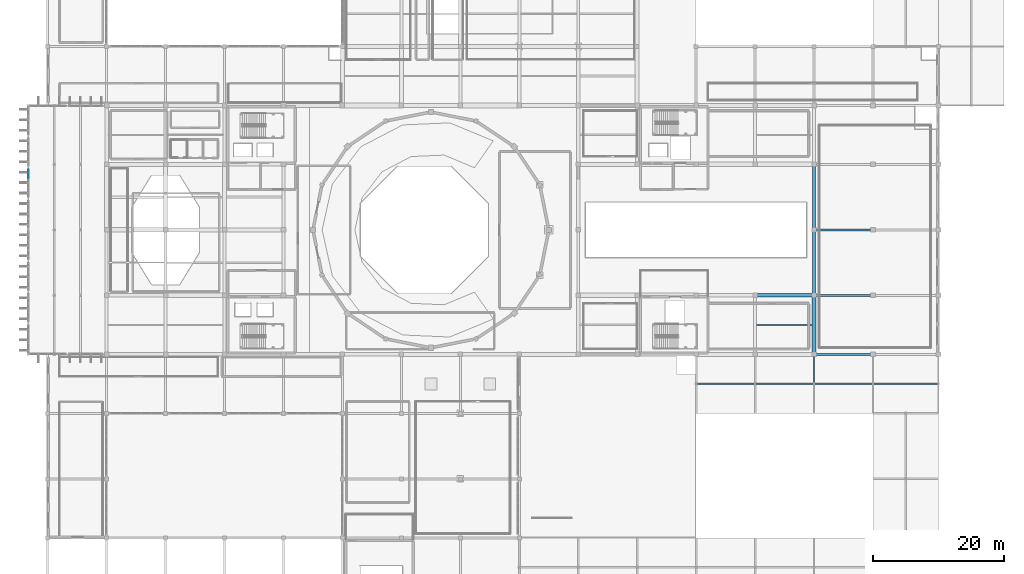
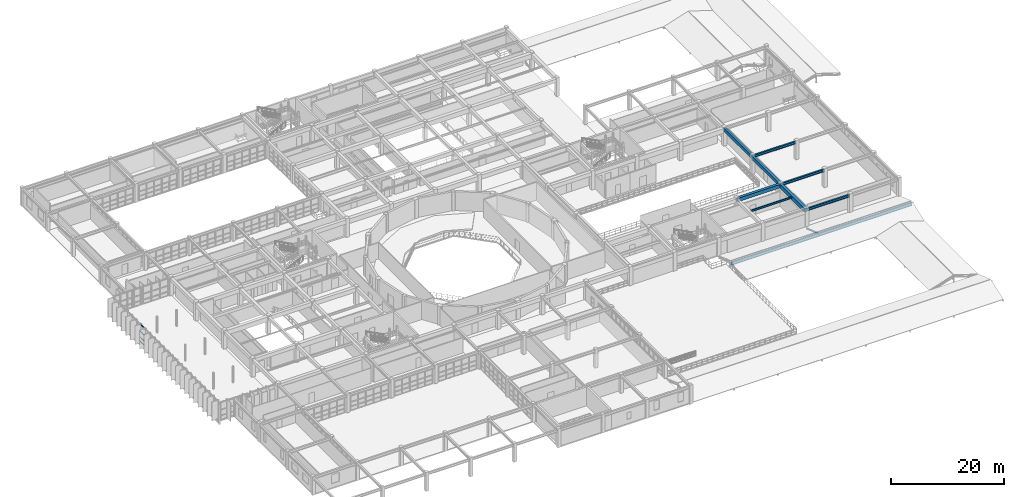
# One storey, part 45 of 110: 9 beams, 5 members, 1 element without a shape of its own.
"""IFC4 building model written with IfcOpenShell, lengths in metres."""

import ifcopenshell
import ifcopenshell.guid

model = None  # the IFC model being written
_history = None  # IfcOwnerHistory: only IFC2X3 demands one
_inside = {}  # id of a spatial element -> (the spatial element, [elements in it])
_under = {}  # id of a project, library or spatial element -> (it, [spatial elements below it])
_declared = {}  # id of a project -> (the project, [libraries it declares])
_typed = {}  # id of a type object -> (the type object, [elements of that type])
_made_of = {}  # id of a material, layer set ... -> (it, [elements and type objects made of it])


def new_model(schema):
    """Start an empty IFC model of exactly this schema.

    Asked for "IFC4X3", IfcOpenShell would pick the latest addendum, in which some entities
    have other attributes; the version numbers below select the first issue.
    IFC2X3 requires an IfcOwnerHistory on every rooted entity: one is made here for all.
    """
    global model, _history
    if schema == "IFC4X3":
        model = ifcopenshell.file(schema_version=(4, 3, 0, 0))
    else:
        model = ifcopenshell.file(schema=schema)
    _inside.clear()
    _under.clear()
    _declared.clear()
    _typed.clear()
    _made_of.clear()
    _history = None
    if model.schema == "IFC2X3":
        org = make("IfcOrganization", Name="unknown")
        user = make(
            "IfcPersonAndOrganization",
            ThePerson=make("IfcPerson", FamilyName="unknown"),
            TheOrganization=org,
        )
        app = make(
            "IfcApplication",
            ApplicationDeveloper=org,
            Version="unknown",
            ApplicationFullName="unknown",
            ApplicationIdentifier="unknown",
        )
        _history = make(
            "IfcOwnerHistory",
            OwningUser=user,
            OwningApplication=app,
            ChangeAction="ADDED",
            CreationDate=0,
        )
    return model


def make(cls, **values):
    """One entity of the class cls with the attributes given. An attribute that is None is left unset."""
    return model.create_entity(
        cls, **{name: value for name, value in values.items() if value is not None}
    )


def rooted(cls, **values):
    """An entity with a GlobalId (a new one), such as an element, a storey or a relation."""
    return make(cls, GlobalId=ifcopenshell.guid.new(), OwnerHistory=_history, **values)


def si_unit(unit_type, name, prefix=None):
    """IfcSIUnit, for example si_unit("LENGTHUNIT", "METRE", prefix="MILLI")."""
    return make("IfcSIUnit", UnitType=unit_type, Prefix=prefix, Name=name)


def assignment(units):
    """IfcUnitAssignment: the units of a project."""
    return None if units is None else make("IfcUnitAssignment", Units=units)


def point(xyz):
    """IfcCartesianPoint."""
    return None if xyz is None else make("IfcCartesianPoint", Coordinates=xyz)


def direction(xyz):
    """IfcDirection."""
    return None if xyz is None else make("IfcDirection", DirectionRatios=xyz)


def frame(location, z_axis=None, x_axis=None):
    """IfcAxis2Placement3D, a coordinate frame: its origin and axes. An axis left out is left unset."""
    return make(
        "IfcAxis2Placement3D",
        Location=point(location),
        Axis=direction(z_axis),
        RefDirection=direction(x_axis),
    )


def frame_2d(location, x_axis=None):
    """IfcAxis2Placement2D, a coordinate frame in the plane: its origin and x axis."""
    return make(
        "IfcAxis2Placement2D", Location=point(location), RefDirection=direction(x_axis)
    )


def origin():
    """The frame at (0, 0, 0) with its axes left unset."""
    return frame((0.0, 0.0, 0.0))


def origin_2d():
    """The frame at (0, 0) in the plane with its x axis left unset."""
    return frame_2d((0.0, 0.0))


def place(relative_to, where):
    """IfcLocalPlacement: puts the frame where relative to a parent placement (None: the world)."""
    return make(
        "IfcLocalPlacement", PlacementRelTo=relative_to, RelativePlacement=where
    )


def context(
    kind, dimensions, precision=None, world=None, true_north=None, identifier=None
):
    """IfcGeometricRepresentationContext, for example the 3D "Model" context."""
    return make(
        "IfcGeometricRepresentationContext",
        ContextIdentifier=identifier,
        ContextType=kind,
        CoordinateSpaceDimension=dimensions,
        Precision=precision,
        WorldCoordinateSystem=world,
        TrueNorth=true_north,
    )


def subcontext(parent, identifier, kind, view, scale=None):
    """IfcGeometricRepresentationSubContext, for example "Body" below "Model"."""
    return make(
        "IfcGeometricRepresentationSubContext",
        ContextIdentifier=identifier,
        ContextType=kind,
        ParentContext=parent,
        TargetScale=scale,
        TargetView=view,
    )


def project(units=None, contexts=None):
    """IfcProject with its units and contexts."""
    return rooted(
        "IfcProject",
        Name="project",
        RepresentationContexts=contexts,
        UnitsInContext=assignment(units),
    )


def spatial(cls, under=None, at=None, **own):
    """A site, building, storey or space (cls), placed at a placement, below another one or the project."""
    s = rooted(cls, ObjectPlacement=at, **own)
    if under is not None:
        _under.setdefault(under.id(), (under, []))[1].append(s)
    return s


def profile(cls, at=None, kind="AREA", **sizes):
    """A parametric profile (cls). Its sizes go by their IFC names, for example OverallWidth=200.0."""
    return make(cls, ProfileType=kind, Position=at, **sizes)


def rectangle(**sizes):
    """IfcRectangleProfileDef."""
    return profile("IfcRectangleProfileDef", **sizes)


def hollow_rectangle(**sizes):
    """IfcRectangleHollowProfileDef."""
    return profile("IfcRectangleHollowProfileDef", **sizes)


def i_section(**sizes):
    """IfcIShapeProfileDef."""
    return profile("IfcIShapeProfileDef", **sizes)


def extrude(swept, where, along, depth):
    """IfcExtrudedAreaSolid: the profile swept, set in the frame where, extruded along a direction by depth."""
    return make(
        "IfcExtrudedAreaSolid",
        SweptArea=swept,
        Position=where,
        ExtrudedDirection=direction(along),
        Depth=depth,
    )


def shape(context_of_items, identifier, shape_type, items):
    """IfcShapeRepresentation: the items that make up one representation, for example the "Body"."""
    return make(
        "IfcShapeRepresentation",
        ContextOfItems=context_of_items,
        RepresentationIdentifier=identifier,
        RepresentationType=shape_type,
        Items=items,
    )


def material(Name=None, Category=None):
    """IfcMaterial."""
    return make("IfcMaterial", Name=Name, Category=Category)


def material_profile(
    of_material, cross_section, Name=None, Category=None, Priority=None
):
    """IfcMaterialProfile: a cross section and its material."""
    return make(
        "IfcMaterialProfile",
        Name=Name,
        Material=of_material,
        Profile=cross_section,
        Priority=Priority,
        Category=Category,
    )


def profile_set(profiles, Name=None, composite=None):
    """IfcMaterialProfileSet."""
    return make(
        "IfcMaterialProfileSet",
        Name=Name,
        MaterialProfiles=profiles,
        CompositeProfile=composite,
    )


def made_of(thing, what):
    """Note that an element or type object is made of a material, layer set ...; save() writes the relation."""
    if what is not None:
        _made_of.setdefault(what.id(), (what, []))[1].append(thing)
    return thing


def type_object(cls, material=None, **own):
    """A type object (cls), such as IfcWallType, which elements share."""
    return made_of(rooted(cls, **own), material)


def element(
    cls,
    number,
    at=None,
    inside=None,
    cuts=None,
    type_object=None,
    material=None,
    context=None,
    identifier="Body",
    shape_type=None,
    held_by="IfcProductDefinitionShape",
    body=None,
    shapes=None,
    **own,
):
    """One element of the class cls, such as IfcWall. Its Tag is "e" and its number.

    at: its placement. inside: the storey or other place that contains it. cuts: it is an
    opening in that element (IfcRelVoidsElement). A single representation is given by context,
    identifier, shape_type and body (its items); several are given by shapes. held_by: the class
    of the entity that holds the representations. save() writes the other relations.
    """
    e = rooted(cls, Tag="e%d" % number, ObjectPlacement=at, **own)
    if body is not None:
        shapes = [shape(context, identifier, shape_type, body)]
    if shapes is not None:
        e.Representation = make(held_by, Representations=shapes)
    if inside is not None:
        _inside.setdefault(inside.id(), (inside, []))[1].append(e)
    if cuts is not None:
        rooted(
            "IfcRelVoidsElement", RelatingBuildingElement=cuts, RelatedOpeningElement=e
        )
    if type_object is not None:
        _typed.setdefault(type_object.id(), (type_object, []))[1].append(e)
    return made_of(e, material)


def aggregate(whole, parts):
    """IfcRelAggregates: a whole, such as a stair, and the parts it consists of."""
    return rooted("IfcRelAggregates", RelatingObject=whole, RelatedObjects=parts)


def save(model, path):
    """Write the relations noted so far, then the file.

    IfcRelAggregates (storeys below a building ...), IfcRelContainedInSpatialStructure (elements
    in a storey), IfcRelDefinesByType, IfcRelAssociatesMaterial and IfcRelDeclares: one each for
    every whole, place, type object, material and project.
    """
    for whole, parts in _under.values():
        aggregate(whole, parts)
    for where, things in _inside.values():
        rooted(
            "IfcRelContainedInSpatialStructure",
            RelatedElements=things,
            RelatingStructure=where,
        )
    for kind, things in _typed.values():
        rooted("IfcRelDefinesByType", RelatedObjects=things, RelatingType=kind)
    for what, things in _made_of.values():
        rooted("IfcRelAssociatesMaterial", RelatedObjects=things, RelatingMaterial=what)
    for by, libraries in _declared.values():
        rooted("IfcRelDeclares", RelatingContext=by, RelatedDefinitions=libraries)
    model.write(path)


model = new_model("IFC4")

# Units and contexts
model_context = context("Model", 3, precision=1e-05, world=origin(), true_north=direction((0.0, 1.0)))
body_context = subcontext(model_context, "Body", "Model", "MODEL_VIEW")
ifc_project = project(units=[si_unit("LENGTHUNIT", "METRE"), si_unit("AREAUNIT", "SQUARE_METRE"), si_unit("VOLUMEUNIT", "CUBIC_METRE"), si_unit("PLANEANGLEUNIT", "RADIAN"), si_unit("MASSUNIT", "GRAM", prefix="KILO")], contexts=[model_context])

# Site, building, storey
site_placement = place(None, origin())
site = spatial("IfcSite", under=ifc_project, at=site_placement, CompositionType="ELEMENT")
building_placement = place(site_placement, origin())
building = spatial("IfcBuilding", under=site, at=building_placement, Name="Miravela Opera House", CompositionType="ELEMENT")
storey_placement = place(building_placement, frame((0.0, 0.0, 13.60009765625)))
storey = spatial("IfcBuildingStorey", under=building, at=storey_placement, Name="L03", CompositionType="ELEMENT", Elevation=13.60009765625)

# Curtain wall, members
ifc_material_1 = material(Name="Anodised architectural bronze aluminium 6063-T6", Category="aluminium")
curtain_wall_type = type_object("IfcCurtainWallType", Name="ARC-CW-02", PredefinedType="NOTDEFINED", material=ifc_material_1)
curtain_wall_placement = place(storey_placement, origin())
curtain_wall = element("IfcCurtainWall", 1, at=curtain_wall_placement, inside=storey, type_object=curtain_wall_type, Name="Cantilever West Wrapper Glazing B6 CW-L03-020", PredefinedType="NOTDEFINED")
ifc_material_profile_1 = material_profile(ifc_material_1, hollow_rectangle(XDim=0.06494140625, YDim=0.139892578125, WallThickness=0.00390625, InnerFilletRadius=0.001953125, OuterFilletRadius=0.00390625, at=origin_2d()), Name="CWT-65X140")
ifc_profile_set_1 = profile_set([ifc_material_profile_1])
member_type_1 = type_object("IfcMemberType", Name="ARC-CWT-140", PredefinedType="USERDEFINED", material=ifc_profile_set_1)
member_1_placement = place(storey_placement, frame((15.080078125, 63.855712890625, 0.032470703125), z_axis=(0.0, 1.0, 0.0), x_axis=(-1.0, 0.0, 0.0)))
member_1 = element("IfcMember", 2, at=member_1_placement, type_object=member_type_1, Name="CW-02 transom 3.1", ObjectType="TRANSOM", PredefinedType="USERDEFINED", context=body_context, shape_type="SweptSolid", body=[
    extrude(hollow_rectangle(XDim=0.06494140625, YDim=0.139892578125, WallThickness=0.00390625, InnerFilletRadius=0.001953125, OuterFilletRadius=0.00390625, at=origin_2d()), origin(), (0.0, 0.0, 1.0), 1.29931640625),
])
member_2_placement = place(storey_placement, frame((15.080078125, 63.855712890625, 0.949951171875), z_axis=(0.0, 1.0, 0.0), x_axis=(-1.0, 0.0, 0.0)))
member_2 = element("IfcMember", 3, at=member_2_placement, type_object=member_type_1, Name="CW-02 transom 3.2", ObjectType="TRANSOM", PredefinedType="USERDEFINED", context=body_context, shape_type="SweptSolid", body=[
    extrude(hollow_rectangle(XDim=0.06494140625, YDim=0.139892578125, WallThickness=0.00390625, InnerFilletRadius=0.001953125, OuterFilletRadius=0.00390625, at=origin_2d()), origin(), (0.0, 0.0, 1.0), 1.29931640625),
])
member_3_placement = place(storey_placement, frame((15.080078125, 63.855712890625, 2.215576171875), z_axis=(0.0, 1.0, 0.0), x_axis=(-1.0, 0.0, 0.0)))
member_3 = element("IfcMember", 4, at=member_3_placement, type_object=member_type_1, Name="CW-02 transom 3.3", ObjectType="TRANSOM", PredefinedType="USERDEFINED", context=body_context, shape_type="SweptSolid", body=[
    extrude(hollow_rectangle(XDim=0.06494140625, YDim=0.139892578125, WallThickness=0.00390625, InnerFilletRadius=0.001953125, OuterFilletRadius=0.00390625, at=origin_2d()), origin(), (0.0, 0.0, 1.0), 1.29931640625),
])
member_4_placement = place(storey_placement, frame((15.080078125, 63.855712890625, 3.787353515625), z_axis=(0.0, 1.0, 0.0), x_axis=(-1.0, 0.0, 0.0)))
member_4 = element("IfcMember", 5, at=member_4_placement, type_object=member_type_1, Name="CW-02 transom 3.4", ObjectType="TRANSOM", PredefinedType="USERDEFINED", context=body_context, shape_type="SweptSolid", body=[
    extrude(hollow_rectangle(XDim=0.06494140625, YDim=0.139892578125, WallThickness=0.00390625, InnerFilletRadius=0.001953125, OuterFilletRadius=0.00390625, at=origin_2d()), origin(), (0.0, 0.0, 1.0), 1.29931640625),
])
aggregate(curtain_wall, [member_1, member_2, member_3, member_4])

# Beams
ifc_material_2 = material(Name="Concrete C35/45", Category="concrete")
ifc_material_profile_2 = material_profile(ifc_material_2, rectangle(XDim=0.47998046875, YDim=0.679931640625, at=origin_2d()), Name="RC-BM-480X680")
ifc_profile_set_2 = profile_set([ifc_material_profile_2])
beam_type_1 = type_object("IfcBeamType", Name="STR-BM-RC480X680", PredefinedType="BEAM", material=ifc_profile_set_2)
beam_1_placement = place(storey_placement, frame((135.0, 56.080078125, 3.5), z_axis=(0.0, 1.0, 0.0), x_axis=(-1.0, 0.0, 0.0)))
element("IfcBeam", 6, at=beam_1_placement, inside=storey, type_object=beam_type_1, Name="Floor Girder L03 16/G-H", PredefinedType="BEAM", context=body_context, shape_type="SweptSolid", body=[
    extrude(rectangle(XDim=0.47998046875, YDim=0.679931640625, at=origin_2d()), origin(), (0.0, 0.0, 1.0), 9.83984375),
])
ifc_material_profile_3 = material_profile(ifc_material_2, rectangle(XDim=0.5, YDim=0.699951171875, at=origin_2d()), Name="RC-BM-500X700")
ifc_profile_set_3 = profile_set([ifc_material_profile_3])
beam_type_2 = type_object("IfcBeamType", Name="STR-BM-RC500X700", PredefinedType="BEAM", material=ifc_profile_set_3)
beam_2_placement = place(storey_placement, frame((135.0, 46.080078125, 3.489990234375), z_axis=(0.0, 1.0, 0.0), x_axis=(-1.0, 0.0, 0.0)))
element("IfcBeam", 7, at=beam_2_placement, inside=storey, type_object=beam_type_2, Name="Floor Girder L03 16/F-G", PredefinedType="BEAM", context=body_context, shape_type="SweptSolid", body=[
    extrude(rectangle(XDim=0.5, YDim=0.699951171875, at=origin_2d()), origin(), (0.0, 0.0, 1.0), 9.83984375),
])
ifc_material_profile_4 = material_profile(ifc_material_2, rectangle(XDim=0.550048828125, YDim=0.75, at=origin_2d()), Name="RC-BM-550X750")
ifc_profile_set_4 = profile_set([ifc_material_profile_4])
beam_type_3 = type_object("IfcBeamType", Name="STR-BM-RC550X750", PredefinedType="BEAM", material=ifc_profile_set_4)
beam_3_placement = place(storey_placement, frame((126.080078125, 46.0, 3.46484375), z_axis=(1.0, 0.0, 0.0), x_axis=(0.0, 1.0, 0.0)))
element("IfcBeam", 8, at=beam_3_placement, inside=storey, type_object=beam_type_3, Name="Floor Girder L03 15-16/F", PredefinedType="BEAM", context=body_context, shape_type="SweptSolid", body=[
    extrude(rectangle(XDim=0.550048828125, YDim=0.75, at=origin_2d()), origin(), (0.0, 0.0, 1.0), 8.83984375),
])
ifc_material_3 = material(Name="Concrete C40/50", Category="concrete")
ifc_material_profile_5 = material_profile(ifc_material_3, rectangle(XDim=0.60009765625, YDim=0.85009765625, at=origin_2d()), Name="RC-BM-600X850")
ifc_profile_set_5 = profile_set([ifc_material_profile_5])
beam_type_4 = type_object("IfcBeamType", Name="STR-BM-RC600X850", PredefinedType="BEAM", material=ifc_profile_set_5)
beam_4_placement = place(storey_placement, frame((135.0, 37.080078125, 3.414794921875), z_axis=(0.0, 1.0, 0.0), x_axis=(-1.0, 0.0, 0.0)))
element("IfcBeam", 9, at=beam_4_placement, inside=storey, type_object=beam_type_4, Name="Floor Girder L03 16/E-F", PredefinedType="BEAM", context=body_context, shape_type="SweptSolid", body=[
    extrude(rectangle(XDim=0.60009765625, YDim=0.85009765625, at=origin_2d()), origin(), (0.0, 0.0, 1.0), 8.83984375),
])
ifc_material_4 = material(Name="Structural steel ASTM A992 Gr. 50", Category="steel")
ifc_material_profile_6 = material_profile(ifc_material_4, i_section(OverallWidth=0.180908203125, OverallDepth=0.4169921875, WebThickness=0.010986328125, FlangeThickness=0.018310546875, FilletRadius=0.013916015625, at=origin_2d()), Name="W410X85")
ifc_profile_set_6 = profile_set([ifc_material_profile_6])
beam_type_5 = type_object("IfcBeamType", Name="STR-BM-W410X85", PredefinedType="JOIST", material=ifc_profile_set_6)
beam_5_placement = place(storey_placement, frame((126.22509765625, 41.5, 3.63134765625), z_axis=(1.0, 0.0, 0.0), x_axis=(0.0, 1.0, 0.0)))
element("IfcBeam", 10, at=beam_5_placement, inside=storey, type_object=beam_type_5, Name="Secondary Floor Joist L03 15-16/E-F", PredefinedType="JOIST", context=body_context, shape_type="SweptSolid", body=[
    extrude(i_section(OverallWidth=0.180908203125, OverallDepth=0.4169921875, WebThickness=0.010986328125, FlangeThickness=0.018310546875, FilletRadius=0.013916015625, at=origin_2d()), origin(), (0.0, 0.0, 1.0), 8.489990234375),
])
ifc_material_profile_7 = material_profile(ifc_material_4, i_section(OverallWidth=0.31201171875, OverallDepth=0.54296875, WebThickness=0.0126953125, FlangeThickness=0.020263671875, FilletRadius=0.01611328125, at=origin_2d()), Name="W530X150")
ifc_profile_set_7 = profile_set([ifc_material_profile_7])
beam_type_6 = type_object("IfcBeamType", Name="STR-BM-W530X150", PredefinedType="BEAM", material=ifc_profile_set_7)
for number, where, z_axis, x_axis, name in (
    (11, (135.080078125, 37.0, 3.568359375), (1.0, 0.0, 0.0), (0.0, 1.0, 0.0), "Roof King-Post Transverse Tie Girder ROOF-V2-REAR T0.1"),
    (12, (135.080078125, 46.0, 3.568359375), (1.0, 0.0, 0.0), (0.0, 1.0, 0.0), "Roof King-Post Transverse Tie Girder ROOF-V2-REAR T1.1"),
    (13, (135.080078125, 56.0, 3.568359375), (1.0, 0.0, 0.0), (0.0, 1.0, 0.0), "Roof King-Post Transverse Tie Girder ROOF-V2-REAR T2.1"),
):
    element("IfcBeam", number, at=place(storey_placement, frame(where, z_axis=z_axis, x_axis=x_axis)), inside=storey, type_object=beam_type_6, Name=name, PredefinedType="BEAM", context=body_context, shape_type="SweptSolid", body=[
        extrude(i_section(OverallWidth=0.31201171875, OverallDepth=0.54296875, WebThickness=0.0126953125, FlangeThickness=0.020263671875, FilletRadius=0.01611328125, at=origin_2d()), origin(), (0.0, 0.0, 1.0), 8.83984375),
    ])
ifc_material_profile_8 = material_profile(ifc_material_4, i_section(OverallWidth=0.256103515625, OverallDepth=0.693115234375, WebThickness=0.014404296875, FlangeThickness=0.023681640625, FilletRadius=0.01806640625, at=origin_2d()), Name="W690X170")
ifc_profile_set_8 = profile_set([ifc_material_profile_8])
beam_type_7 = type_object("IfcBeamType", Name="STR-BM-W690X170", PredefinedType="BEAM", material=ifc_profile_set_8)
beam_6_placement = place(storey_placement, frame((117.0, 32.5, 0.933349609375), z_axis=(1.0, 0.0, 0.0), x_axis=(0.0, 1.0, 0.0)))
element("IfcBeam", 14, at=beam_6_placement, inside=storey, type_object=beam_type_7, Name="Clay Tile Roof Ridge Beam ROOF-V4-NE", PredefinedType="BEAM", context=body_context, shape_type="SweptSolid", body=[
    extrude(i_section(OverallWidth=0.256103515625, OverallDepth=0.693115234375, WebThickness=0.014404296875, FlangeThickness=0.023681640625, FilletRadius=0.01806640625, at=origin_2d()), origin(), (0.0, 0.0, 1.0), 37.0),
])

# Member
ifc_material_profile_9 = material_profile(ifc_material_4, i_section(OverallWidth=0.202880859375, OverallDepth=0.302978515625, WebThickness=0.007568359375, FlangeThickness=0.01318359375, FilletRadius=0.012939453125, at=origin_2d()), Name="W310X60")
ifc_profile_set_9 = profile_set([ifc_material_profile_9])
member_type_2 = type_object("IfcMemberType", Name="STR-MEM-RAFTER-2", PredefinedType="RAFTER", material=ifc_profile_set_9)
member_5_placement = place(storey_placement, frame((135.0, 36.949951171875, -0.400146484375), z_axis=(0.0, -0.943687918104, 0.3308369889), x_axis=(1.0, 0.0, 0.0)))
element("IfcMember", 15, at=member_5_placement, inside=storey, type_object=member_type_2, Name="Pitched Roof Rafter ROOF-V4-NE N2", PredefinedType="RAFTER", context=body_context, shape_type="SweptSolid", body=[
    extrude(i_section(OverallWidth=0.202880859375, OverallDepth=0.302978515625, WebThickness=0.007568359375, FlangeThickness=0.01318359375, FilletRadius=0.012939453125, at=origin_2d()), origin(), (0.0, 0.0, 1.0), 4.715576171875),
])

save(model, "model.ifc")
